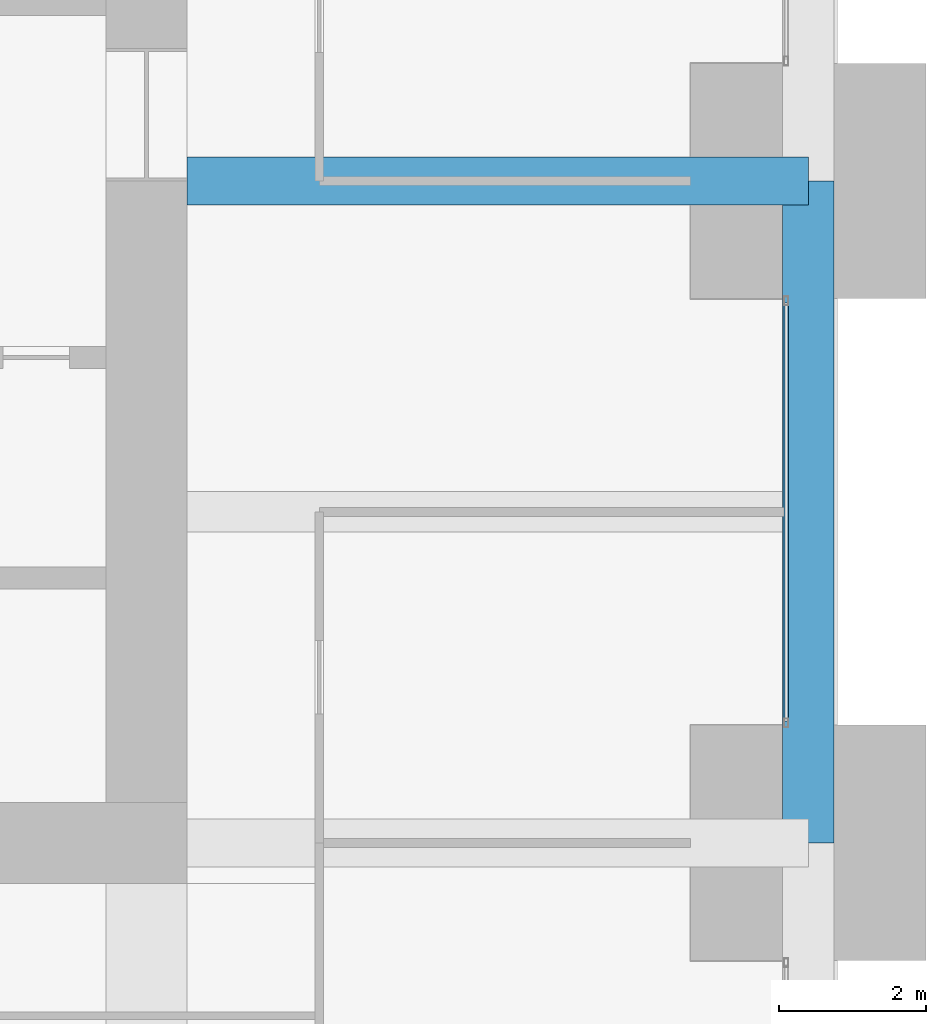
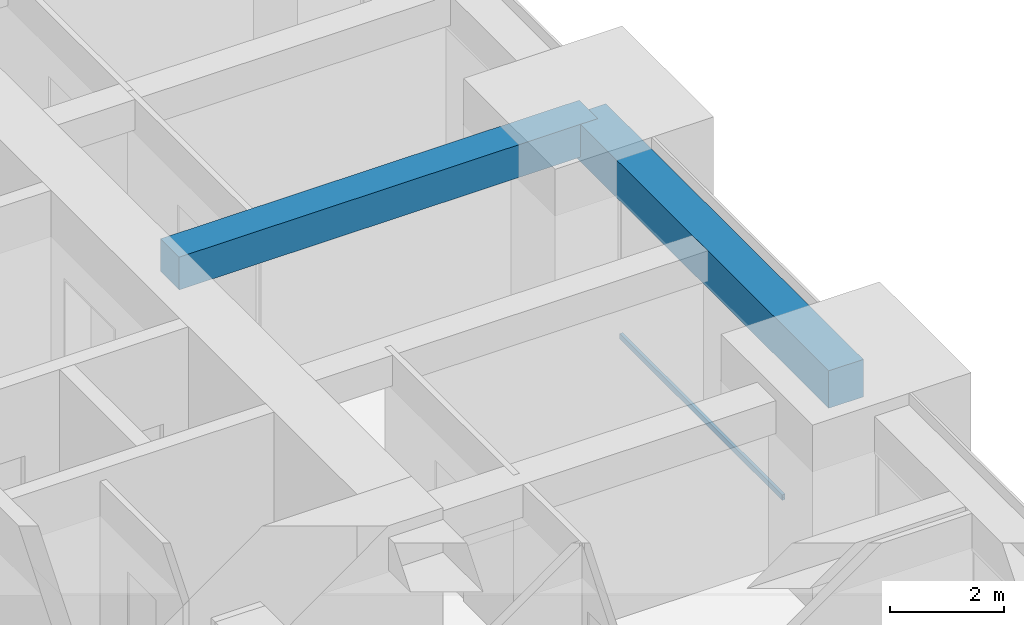
# One storey, part 24 of 43: 2 beams, 1 member, 1 element without a shape of its own.
"""IFC4 building model written with IfcOpenShell, lengths in metres."""

from ifc_helpers import new_model, si_unit, direction, frame, origin, origin_2d, place, context, subcontext, project, spatial, rectangle, hollow_rectangle, extrude, material, material_profile, profile_set, type_object, element, aggregate, save


model = new_model("IFC4")

# Units and contexts
model_context = context("Model", 3, precision=1e-05, world=origin(), true_north=direction((0.0, 1.0)))
body_context = subcontext(model_context, "Body", "Model", "MODEL_VIEW")
ifc_project = project(units=[si_unit("LENGTHUNIT", "METRE"), si_unit("AREAUNIT", "SQUARE_METRE"), si_unit("VOLUMEUNIT", "CUBIC_METRE"), si_unit("PLANEANGLEUNIT", "RADIAN"), si_unit("MASSUNIT", "GRAM", prefix="KILO")], contexts=[model_context])

# Site, building, storey
site_placement = place(None, origin())
site = spatial("IfcSite", under=ifc_project, at=site_placement, CompositionType="ELEMENT")
building_placement = place(site_placement, origin())
building = spatial("IfcBuilding", under=site, at=building_placement, Name="Zorevar Civic Tower", CompositionType="ELEMENT")
storey_placement = place(building_placement, frame((0.0, 0.0, 243.39990234375)))
storey = spatial("IfcBuildingStorey", under=building, at=storey_placement, Name="L59", CompositionType="ELEMENT", Elevation=243.39990234375)

# Beam
ifc_material_1 = material(Name="Concrete C50/60", Category="concrete")
ifc_material_profile_1 = material_profile(ifc_material_1, rectangle(XDim=0.64990234375, YDim=0.699951171875, at=origin_2d()), Name="RC 650x700")
ifc_profile_set_1 = profile_set([ifc_material_profile_1], Name="Concrete C50/60")
beam_type_1 = type_object("IfcBeamType", Name="Beam RC 650x700", PredefinedType="BEAM", material=ifc_profile_set_1)
beam_1_placement = place(storey_placement, frame((45.550048828125, 27.0, 3.400146484375), z_axis=(1.0, 0.0, 0.0), x_axis=(0.0, 1.0, 0.0)))
element("IfcBeam", 1, at=beam_1_placement, inside=storey, type_object=beam_type_1, Name="Girder L60", PredefinedType="BEAM", context=body_context, shape_type="SweptSolid", body=[
    extrude(rectangle(XDim=0.64990234375, YDim=0.699951171875, at=origin_2d()), origin(), (0.0, 0.0, 1.0), 8.449951171875),
])

# Curtain wall, member
ifc_material_2 = material(Name="Dark grey solar-control glass in black aluminium frame", Category="aluminium")
curtain_wall_type = type_object("IfcCurtainWallType", Name="Curtain wall CW5 top zone", PredefinedType="NOTDEFINED", material=ifc_material_2)
curtain_wall_placement = place(storey_placement, origin())
curtain_wall = element("IfcCurtainWall", 2, at=curtain_wall_placement, inside=storey, type_object=curtain_wall_type, Name="CW5 L59", PredefinedType="NOTDEFINED")
ifc_material_3 = material(Name="Aluminium, black anodised", Category="aluminium")
ifc_material_profile_2 = material_profile(ifc_material_3, hollow_rectangle(XDim=0.06005859375, YDim=0.1201171875, WallThickness=0.0029296875, at=origin_2d()), Name="AL 120x60x3")
ifc_profile_set_2 = profile_set([ifc_material_profile_2], Name="Aluminium, black anodised")
member_type = type_object("IfcMemberType", Name="CW5 transom AL 120x60x3", PredefinedType="USERDEFINED", material=ifc_profile_set_2)
member_placement = place(storey_placement, frame((53.699951171875, 19.659912109375, 0.030029296875), z_axis=(0.0, 1.0, 0.0), x_axis=(-1.0, 0.0, 0.0)))
member = element("IfcMember", 3, at=member_placement, type_object=member_type, Name="CW5 sill transom", ObjectType="TRANSOM", PredefinedType="USERDEFINED", context=body_context, shape_type="SweptSolid", body=[
    extrude(hollow_rectangle(XDim=0.06005859375, YDim=0.1201171875, WallThickness=0.0029296875, at=origin_2d()), origin(), (0.0, 0.0, 1.0), 5.68017578125),
])
aggregate(curtain_wall, [member])

# Beam
ifc_material_4 = material(Name="Concrete C50/60", Category="concrete")
ifc_material_profile_3 = material_profile(ifc_material_4, rectangle(XDim=0.699951171875, YDim=0.800048828125, at=origin_2d()), Name="RC 700x800")
ifc_profile_set_3 = profile_set([ifc_material_profile_3], Name="Concrete C50/60")
beam_type_2 = type_object("IfcBeamType", Name="Edge beam RC 700x800", PredefinedType="SPANDREL", material=ifc_profile_set_3)
beam_2_placement = place(storey_placement, frame((54.0, 18.0, 3.35009765625), z_axis=(0.0, 1.0, 0.0), x_axis=(-1.0, 0.0, 0.0)))
element("IfcBeam", 4, at=beam_2_placement, inside=storey, type_object=beam_type_2, Name="Edge beam L60", PredefinedType="SPANDREL", context=body_context, shape_type="SweptSolid", body=[
    extrude(rectangle(XDim=0.699951171875, YDim=0.800048828125, at=origin_2d()), origin(), (0.0, 0.0, 1.0), 9.0),
])

save(model, "model.ifc")
